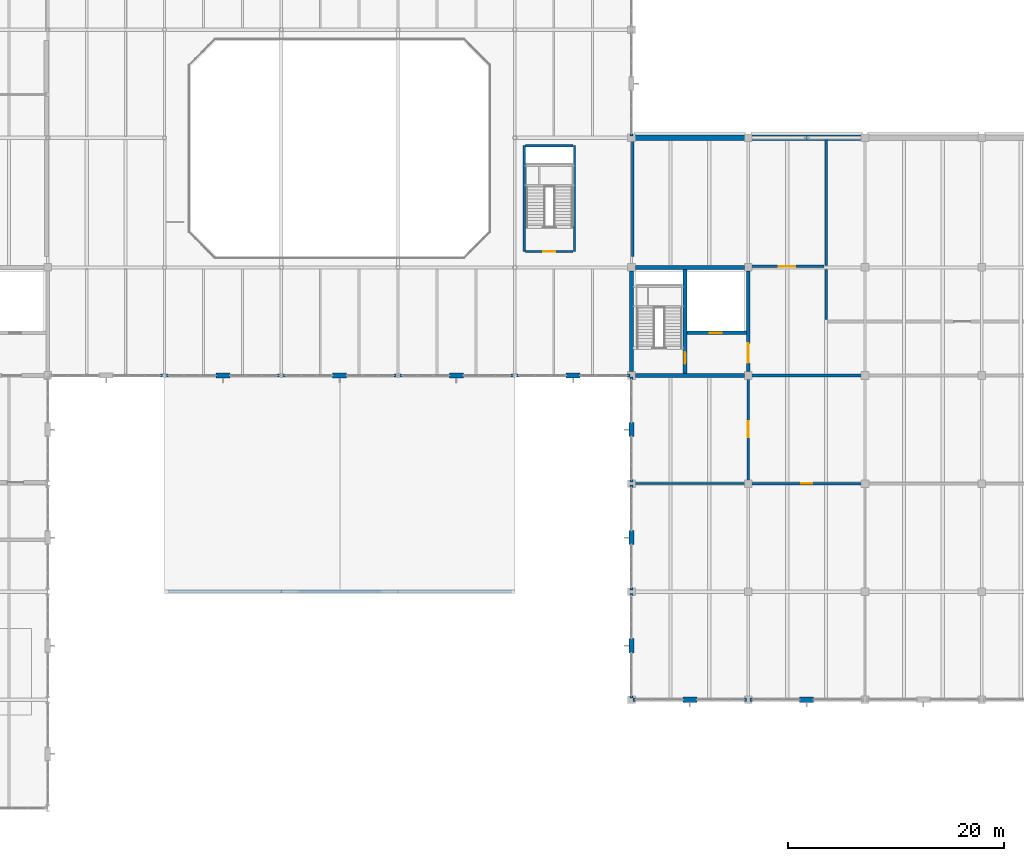
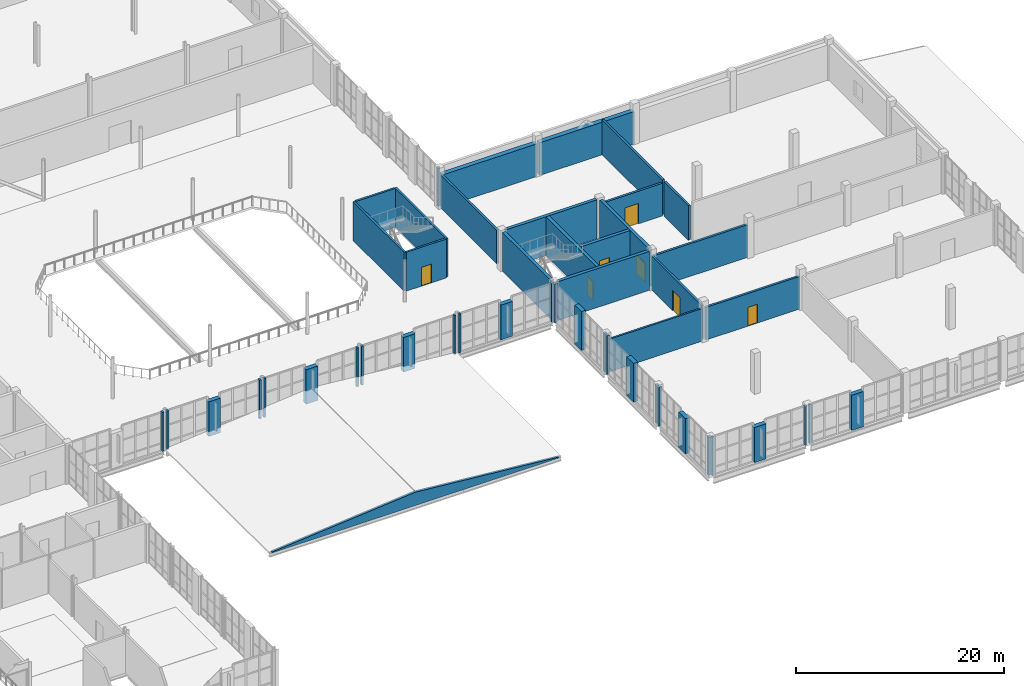
# One storey, part 76 of 92: 49 walls, 7 doors, 7 openings.
"""IFC4 building model written with IfcOpenShell, lengths in metres."""

import ifcopenshell
import ifcopenshell.guid

model = None  # the IFC model being written
_history = None  # IfcOwnerHistory: only IFC2X3 demands one
_inside = {}  # id of a spatial element -> (the spatial element, [elements in it])
_under = {}  # id of a project, library or spatial element -> (it, [spatial elements below it])
_declared = {}  # id of a project -> (the project, [libraries it declares])
_typed = {}  # id of a type object -> (the type object, [elements of that type])
_made_of = {}  # id of a material, layer set ... -> (it, [elements and type objects made of it])


def new_model(schema):
    """Start an empty IFC model of exactly this schema.

    Asked for "IFC4X3", IfcOpenShell would pick the latest addendum, in which some entities
    have other attributes; the version numbers below select the first issue.
    IFC2X3 requires an IfcOwnerHistory on every rooted entity: one is made here for all.
    """
    global model, _history
    if schema == "IFC4X3":
        model = ifcopenshell.file(schema_version=(4, 3, 0, 0))
    else:
        model = ifcopenshell.file(schema=schema)
    _inside.clear()
    _under.clear()
    _declared.clear()
    _typed.clear()
    _made_of.clear()
    _history = None
    if model.schema == "IFC2X3":
        org = make("IfcOrganization", Name="unknown")
        user = make(
            "IfcPersonAndOrganization",
            ThePerson=make("IfcPerson", FamilyName="unknown"),
            TheOrganization=org,
        )
        app = make(
            "IfcApplication",
            ApplicationDeveloper=org,
            Version="unknown",
            ApplicationFullName="unknown",
            ApplicationIdentifier="unknown",
        )
        _history = make(
            "IfcOwnerHistory",
            OwningUser=user,
            OwningApplication=app,
            ChangeAction="ADDED",
            CreationDate=0,
        )
    return model


def make(cls, **values):
    """One entity of the class cls with the attributes given. An attribute that is None is left unset."""
    return model.create_entity(
        cls, **{name: value for name, value in values.items() if value is not None}
    )


def rooted(cls, **values):
    """An entity with a GlobalId (a new one), such as an element, a storey or a relation."""
    return make(cls, GlobalId=ifcopenshell.guid.new(), OwnerHistory=_history, **values)


def si_unit(unit_type, name, prefix=None):
    """IfcSIUnit, for example si_unit("LENGTHUNIT", "METRE", prefix="MILLI")."""
    return make("IfcSIUnit", UnitType=unit_type, Prefix=prefix, Name=name)


def assignment(units):
    """IfcUnitAssignment: the units of a project."""
    return None if units is None else make("IfcUnitAssignment", Units=units)


def point(xyz):
    """IfcCartesianPoint."""
    return None if xyz is None else make("IfcCartesianPoint", Coordinates=xyz)


def direction(xyz):
    """IfcDirection."""
    return None if xyz is None else make("IfcDirection", DirectionRatios=xyz)


def frame(location, z_axis=None, x_axis=None):
    """IfcAxis2Placement3D, a coordinate frame: its origin and axes. An axis left out is left unset."""
    return make(
        "IfcAxis2Placement3D",
        Location=point(location),
        Axis=direction(z_axis),
        RefDirection=direction(x_axis),
    )


def frame_2d(location, x_axis=None):
    """IfcAxis2Placement2D, a coordinate frame in the plane: its origin and x axis."""
    return make(
        "IfcAxis2Placement2D", Location=point(location), RefDirection=direction(x_axis)
    )


def origin():
    """The frame at (0, 0, 0) with its axes left unset."""
    return frame((0.0, 0.0, 0.0))


def place(relative_to, where):
    """IfcLocalPlacement: puts the frame where relative to a parent placement (None: the world)."""
    return make(
        "IfcLocalPlacement", PlacementRelTo=relative_to, RelativePlacement=where
    )


def context(
    kind, dimensions, precision=None, world=None, true_north=None, identifier=None
):
    """IfcGeometricRepresentationContext, for example the 3D "Model" context."""
    return make(
        "IfcGeometricRepresentationContext",
        ContextIdentifier=identifier,
        ContextType=kind,
        CoordinateSpaceDimension=dimensions,
        Precision=precision,
        WorldCoordinateSystem=world,
        TrueNorth=true_north,
    )


def subcontext(parent, identifier, kind, view, scale=None):
    """IfcGeometricRepresentationSubContext, for example "Body" below "Model"."""
    return make(
        "IfcGeometricRepresentationSubContext",
        ContextIdentifier=identifier,
        ContextType=kind,
        ParentContext=parent,
        TargetScale=scale,
        TargetView=view,
    )


def project(units=None, contexts=None):
    """IfcProject with its units and contexts."""
    return rooted(
        "IfcProject",
        Name="project",
        RepresentationContexts=contexts,
        UnitsInContext=assignment(units),
    )


def spatial(cls, under=None, at=None, **own):
    """A site, building, storey or space (cls), placed at a placement, below another one or the project."""
    s = rooted(cls, ObjectPlacement=at, **own)
    if under is not None:
        _under.setdefault(under.id(), (under, []))[1].append(s)
    return s


def polyline(points):
    """IfcPolyline through the points."""
    return make("IfcPolyline", Points=[point(p) for p in points])


def profile(cls, at=None, kind="AREA", **sizes):
    """A parametric profile (cls). Its sizes go by their IFC names, for example OverallWidth=200.0."""
    return make(cls, ProfileType=kind, Position=at, **sizes)


def rectangle(**sizes):
    """IfcRectangleProfileDef."""
    return profile("IfcRectangleProfileDef", **sizes)


def outline(outer, holes=None, kind="AREA"):
    """IfcArbitraryClosedProfileDef: a profile drawn as a closed curve; with holes, ...WithVoids."""
    if holes is None:
        return make("IfcArbitraryClosedProfileDef", ProfileType=kind, OuterCurve=outer)
    return make(
        "IfcArbitraryProfileDefWithVoids",
        ProfileType=kind,
        OuterCurve=outer,
        InnerCurves=holes,
    )


def extrude(swept, where, along, depth):
    """IfcExtrudedAreaSolid: the profile swept, set in the frame where, extruded along a direction by depth."""
    return make(
        "IfcExtrudedAreaSolid",
        SweptArea=swept,
        Position=where,
        ExtrudedDirection=direction(along),
        Depth=depth,
    )


def shape(context_of_items, identifier, shape_type, items):
    """IfcShapeRepresentation: the items that make up one representation, for example the "Body"."""
    return make(
        "IfcShapeRepresentation",
        ContextOfItems=context_of_items,
        RepresentationIdentifier=identifier,
        RepresentationType=shape_type,
        Items=items,
    )


def material(Name=None, Category=None):
    """IfcMaterial."""
    return make("IfcMaterial", Name=Name, Category=Category)


def layer(
    of_material, thickness, ventilated=None, Name=None, Category=None, Priority=None
):
    """IfcMaterialLayer: one layer of a wall or slab, of a material (None: an air gap)."""
    return make(
        "IfcMaterialLayer",
        Material=of_material,
        LayerThickness=thickness,
        IsVentilated=ventilated,
        Name=Name,
        Category=Category,
        Priority=Priority,
    )


def layer_set(layers, Name=None):
    """IfcMaterialLayerSet."""
    return make("IfcMaterialLayerSet", MaterialLayers=layers, LayerSetName=Name)


def made_of(thing, what):
    """Note that an element or type object is made of a material, layer set ...; save() writes the relation."""
    if what is not None:
        _made_of.setdefault(what.id(), (what, []))[1].append(thing)
    return thing


def type_object(cls, material=None, **own):
    """A type object (cls), such as IfcWallType, which elements share."""
    return made_of(rooted(cls, **own), material)


def element(
    cls,
    number,
    at=None,
    inside=None,
    cuts=None,
    type_object=None,
    material=None,
    context=None,
    identifier="Body",
    shape_type=None,
    held_by="IfcProductDefinitionShape",
    body=None,
    shapes=None,
    **own,
):
    """One element of the class cls, such as IfcWall. Its Tag is "e" and its number.

    at: its placement. inside: the storey or other place that contains it. cuts: it is an
    opening in that element (IfcRelVoidsElement). A single representation is given by context,
    identifier, shape_type and body (its items); several are given by shapes. held_by: the class
    of the entity that holds the representations. save() writes the other relations.
    """
    e = rooted(cls, Tag="e%d" % number, ObjectPlacement=at, **own)
    if body is not None:
        shapes = [shape(context, identifier, shape_type, body)]
    if shapes is not None:
        e.Representation = make(held_by, Representations=shapes)
    if inside is not None:
        _inside.setdefault(inside.id(), (inside, []))[1].append(e)
    if cuts is not None:
        rooted(
            "IfcRelVoidsElement", RelatingBuildingElement=cuts, RelatedOpeningElement=e
        )
    if type_object is not None:
        _typed.setdefault(type_object.id(), (type_object, []))[1].append(e)
    return made_of(e, material)


def fill(opening, filler):
    """IfcRelFillsElement: the door or window that sits in an opening."""
    return rooted(
        "IfcRelFillsElement",
        RelatingOpeningElement=opening,
        RelatedBuildingElement=filler,
    )


def aggregate(whole, parts):
    """IfcRelAggregates: a whole, such as a stair, and the parts it consists of."""
    return rooted("IfcRelAggregates", RelatingObject=whole, RelatedObjects=parts)


def save(model, path):
    """Write the relations noted so far, then the file.

    IfcRelAggregates (storeys below a building ...), IfcRelContainedInSpatialStructure (elements
    in a storey), IfcRelDefinesByType, IfcRelAssociatesMaterial and IfcRelDeclares: one each for
    every whole, place, type object, material and project.
    """
    for whole, parts in _under.values():
        aggregate(whole, parts)
    for where, things in _inside.values():
        rooted(
            "IfcRelContainedInSpatialStructure",
            RelatedElements=things,
            RelatingStructure=where,
        )
    for kind, things in _typed.values():
        rooted("IfcRelDefinesByType", RelatedObjects=things, RelatingType=kind)
    for what, things in _made_of.values():
        rooted("IfcRelAssociatesMaterial", RelatedObjects=things, RelatingMaterial=what)
    for by, libraries in _declared.values():
        rooted("IfcRelDeclares", RelatingContext=by, RelatedDefinitions=libraries)
    model.write(path)


model = new_model("IFC4")

# Units and contexts
model_context = context("Model", 3, precision=1e-05, world=origin(), true_north=direction((0.0, 1.0)))
body_context = subcontext(model_context, "Body", "Model", "MODEL_VIEW")
ifc_project = project(units=[si_unit("LENGTHUNIT", "METRE"), si_unit("AREAUNIT", "SQUARE_METRE"), si_unit("VOLUMEUNIT", "CUBIC_METRE"), si_unit("PLANEANGLEUNIT", "RADIAN"), si_unit("MASSUNIT", "GRAM", prefix="KILO")], contexts=[model_context])

# Site, building, storey
site_placement = place(None, origin())
site = spatial("IfcSite", under=ifc_project, at=site_placement, CompositionType="ELEMENT")
building_placement = place(site_placement, origin())
building = spatial("IfcBuilding", under=site, at=building_placement, Name="Tasgan Crest Museum", CompositionType="ELEMENT")
storey_placement = place(building_placement, frame((0.0, 0.0, 4.800048828125)))
storey = spatial("IfcBuildingStorey", under=building, at=storey_placement, Name="L01", CompositionType="ELEMENT", Elevation=4.800048828125)

# Walls
ifc_material_1 = material(Name="Concrete C40/50", Category="concrete")
ifc_layer_1 = layer(ifc_material_1, 0.35009765625, Name="WL-CORE-350")
ifc_layer_set_1 = layer_set([ifc_layer_1], Name="Concrete C40/50")
wall_type_1 = type_object("IfcWallType", Name="WL-CORE-350", PredefinedType="SHEAR", material=ifc_layer_set_1)
for number, where, z_axis, x_axis, name in (
    (1, (108.35009765625, 40.0, 0.0), (0.0, 0.0, 1.0), (1.0, 0.0, 0.0), "East Conservation Core south shear wall L01"),
    (2, (108.35009765625, 50.0, 0.0), (0.0, 0.0, 1.0), (1.0, 0.0, 0.0), "East Conservation Core north shear wall L01"),
):
    element("IfcWall", number, at=place(storey_placement, frame(where, z_axis=z_axis, x_axis=x_axis)), inside=storey, type_object=wall_type_1, Name=name, PredefinedType="SHEAR", context=body_context, shape_type="SweptSolid", body=[
        extrude(rectangle(XDim=10.099853515625, YDim=0.35009765625, at=frame_2d((5.0498046875, 0.0))), origin(), (0.0, 0.0, 1.0), 4.56005859375),
    ])
wall_1_placement = place(storey_placement, frame((108.0, 40.35009765625, 0.0), z_axis=(0.0, 0.0, 1.0), x_axis=(0.0, 1.0, 0.0)))
element("IfcWall", 3, at=wall_1_placement, inside=storey, type_object=wall_type_1, Name="East Conservation Core west shear wall L01", PredefinedType="SHEAR", context=body_context, shape_type="SweptSolid", body=[
    extrude(rectangle(XDim=9.2998046875, YDim=0.35009765625, at=frame_2d((4.64990234375, 0.0))), origin(), (0.0, 0.0, 1.0), 4.56005859375),
])

# Wall, opening, door
wall_2_placement = place(storey_placement, frame((118.800048828125, 40.35009765625, 0.0), z_axis=(0.0, 0.0, 1.0), x_axis=(0.0, 1.0, 0.0)))
wall_2 = element("IfcWall", 4, at=wall_2_placement, inside=storey, type_object=wall_type_1, Name="East Conservation Core east shear wall L01", PredefinedType="SHEAR", context=body_context, shape_type="SweptSolid", body=[
    extrude(rectangle(XDim=9.2998046875, YDim=0.35009765625, at=frame_2d((4.64990234375, 0.0))), origin(), (0.0, 0.0, 1.0), 4.56005859375),
])
opening_1_placement = place(wall_2_placement, frame((0.830078125, 0.0, 0.0)))
opening_1 = element("IfcOpeningElement", 5, at=opening_1_placement, cuts=wall_2, Name="Opening LD-SE-L01", PredefinedType="OPENING", context=body_context, shape_type="SweptSolid", body=[
    extrude(rectangle(XDim=1.800048828125, YDim=2.25, at=frame_2d((0.89990234375, 1.125))), frame((0.0, 0.18505859375, 0.0), z_axis=(0.0, -1.0, 0.0), x_axis=(1.0, 0.0, 0.0)), (0.0, 0.0, 1.0), 0.3701171875),
])
ifc_material_2 = material(Name="Fire-Rated Double Lobby Door")
door_type_1 = type_object("IfcDoorType", Name="DR-FD2-1800", OperationType="NOTDEFINED", PredefinedType="DOOR", material=ifc_material_2)
door_1_placement = place(opening_1_placement, origin())
door_1 = element("IfcDoor", 6, at=door_1_placement, inside=storey, type_object=door_type_1, Name="East Conservation Core lobby door L01", OperationType="DOUBLE_DOOR_SINGLE_SWING", OverallHeight=2.25, OverallWidth=1.800048828125, PredefinedType="DOOR", context=body_context, shape_type="SweptSolid", body=[
    extrude(rectangle(XDim=1.800048828125, YDim=2.25, at=frame_2d((0.89990234375, 1.125))), frame((0.0, 0.02490234375, 0.0), z_axis=(0.0, -1.0, 0.0), x_axis=(1.0, 0.0, 0.0)), (0.0, 0.0, 1.0), 0.050048828125),
])
fill(opening_1, door_1)

wall_3_placement = place(storey_placement, frame((112.949951171875, 40.175048828125, 0.0), z_axis=(0.0, 0.0, 1.0), x_axis=(0.0, 1.0, 0.0)))
wall_3 = element("IfcWall", 7, at=wall_3_placement, inside=storey, type_object=wall_type_1, Name="East Conservation Core stair-lobby shear wall L01", PredefinedType="SHEAR", context=body_context, shape_type="SweptSolid", body=[
    extrude(rectangle(XDim=9.64990234375, YDim=0.35009765625, at=frame_2d((4.824951171875, 0.0))), origin(), (0.0, 0.0, 1.0), 4.56005859375),
])
opening_2_placement = place(wall_3_placement, frame((0.89990234375, 0.0, 0.0)))
opening_2 = element("IfcOpeningElement", 8, at=opening_2_placement, cuts=wall_3, Name="Opening SD-SE-L01", PredefinedType="OPENING", context=body_context, shape_type="SweptSolid", body=[
    extrude(rectangle(XDim=1.10009765625, YDim=2.199951171875, at=frame_2d((0.550048828125, 1.10009765625))), frame((0.0, 0.18505859375, 0.0), z_axis=(0.0, -1.0, 0.0), x_axis=(1.0, 0.0, 0.0)), (0.0, 0.0, 1.0), 0.3701171875),
])
ifc_material_3 = material(Name="Fire-Rated Steel Door", Category="steel")
door_type_2 = type_object("IfcDoorType", Name="DR-FD1-1100", OperationType="NOTDEFINED", PredefinedType="DOOR", material=ifc_material_3)
door_2_placement = place(opening_2_placement, origin())
door_2 = element("IfcDoor", 9, at=door_2_placement, inside=storey, type_object=door_type_2, Name="East Conservation Core stair door L01", OperationType="SINGLE_SWING_RIGHT", OverallHeight=2.199951171875, OverallWidth=1.10009765625, PredefinedType="DOOR", context=body_context, shape_type="SweptSolid", body=[
    extrude(rectangle(XDim=1.10009765625, YDim=2.199951171875, at=frame_2d((0.550048828125, 1.10009765625))), frame((0.0, 0.02490234375, 0.0), z_axis=(0.0, -1.0, 0.0), x_axis=(1.0, 0.0, 0.0)), (0.0, 0.0, 1.0), 0.050048828125),
])
fill(opening_2, door_2)

wall_4_placement = place(storey_placement, frame((113.1298828125, 43.949951171875, 0.0), z_axis=(0.0, 0.0, 1.0), x_axis=(1.0, 0.0, 0.0)))
wall_4 = element("IfcWall", 10, at=wall_4_placement, inside=storey, type_object=wall_type_1, Name="East Conservation Core lift-shaft wall L01", PredefinedType="SHEAR", context=body_context, shape_type="SweptSolid", body=[
    extrude(rectangle(XDim=5.490234375, YDim=0.35009765625, at=frame_2d((2.7451171875, 0.0))), origin(), (0.0, 0.0, 1.0), 4.56005859375),
])
opening_3_placement = place(wall_4_placement, frame((2.10009765625, 0.0, 0.0)))
opening_3 = element("IfcOpeningElement", 11, at=opening_3_placement, cuts=wall_4, Name="Opening LD-PL2", PredefinedType="OPENING", context=body_context, shape_type="SweptSolid", body=[
    extrude(rectangle(XDim=1.10009765625, YDim=2.199951171875, at=frame_2d((0.550048828125, 1.10009765625))), frame((0.0, 0.18505859375, 0.0), z_axis=(0.0, -1.0, 0.0), x_axis=(1.0, 0.0, 0.0)), (0.0, 0.0, 1.0), 0.3701171875),
])
ifc_material_4 = material(Name="Brushed Bronze Passenger Lift Landing Door")
door_type_3 = type_object("IfcDoorType", Name="LD-PAX-1100", OperationType="NOTDEFINED", PredefinedType="DOOR", material=ifc_material_4)
door_3_placement = place(opening_3_placement, origin())
door_3 = element("IfcDoor", 12, at=door_3_placement, inside=storey, type_object=door_type_3, Name="Lift landing sliding door PL2 L01", OperationType="DOUBLE_DOOR_SLIDING", OverallHeight=2.199951171875, OverallWidth=1.10009765625, PredefinedType="DOOR", context=body_context, shape_type="SweptSolid", body=[
    extrude(rectangle(XDim=1.10009765625, YDim=2.199951171875, at=frame_2d((0.550048828125, 1.10009765625))), frame((0.0, 0.02490234375, 0.0), z_axis=(0.0, -1.0, 0.0), x_axis=(1.0, 0.0, 0.0)), (0.0, 0.0, 1.0), 0.050048828125),
])
fill(opening_3, door_3)

# Walls
ifc_material_5 = material(Name="Precast concrete C40/50", Category="concrete")
ifc_layer_2 = layer(ifc_material_5, 0.320068359375, Name="WL-EXT-CLER-320")
ifc_layer_set_2 = layer_set([ifc_layer_2], Name="Precast concrete C40/50")
wall_type_2 = type_object("IfcWallType", Name="WL-EXT-CLER-320", PredefinedType="STANDARD", material=ifc_layer_set_2)
wall_5_placement = place(storey_placement, frame((64.429931640625, 40.0, 0.0), z_axis=(0.0, 0.0, 1.0), x_axis=(1.0, 0.0, 0.0)))
element("IfcWall", 13, at=wall_5_placement, inside=storey, type_object=wall_type_2, Name="Curtain wall jamb closure L01 JR", PredefinedType="STANDARD", context=body_context, shape_type="SweptSolid", body=[
    extrude(rectangle(XDim=0.22509765625, YDim=0.300048828125, at=frame_2d((0.112548828125, 0.0))), origin(), (0.0, 0.0, 1.0), 4.56005859375),
])
wall_6_placement = place(storey_placement, frame((64.945068359375, 40.0, 0.0), z_axis=(0.0, 0.0, 1.0), x_axis=(1.0, 0.0, 0.0)))
element("IfcWall", 14, at=wall_6_placement, inside=storey, type_object=wall_type_2, Name="Curtain wall jamb closure L01 JL", PredefinedType="STANDARD", context=body_context, shape_type="SweptSolid", body=[
    extrude(rectangle(XDim=0.224853515625, YDim=0.300048828125, at=frame_2d((0.1123046875, 0.0))), origin(), (0.0, 0.0, 1.0), 4.56005859375),
])
wall_7_placement = place(storey_placement, frame((75.22998046875, 40.0, 0.0), z_axis=(0.0, 0.0, 1.0), x_axis=(1.0, 0.0, 0.0)))
element("IfcWall", 15, at=wall_7_placement, inside=storey, type_object=wall_type_2, Name="Curtain wall jamb closure L01 JR", PredefinedType="STANDARD", context=body_context, shape_type="SweptSolid", body=[
    extrude(rectangle(XDim=0.22509765625, YDim=0.300048828125, at=frame_2d((0.112548828125, 0.0))), origin(), (0.0, 0.0, 1.0), 4.56005859375),
])
for number, where, z_axis, x_axis, name in (
    (16, (75.7451171875, 40.0, 0.0), (0.0, 0.0, 1.0), (1.0, 0.0, 0.0), "Curtain wall jamb closure L01 JL"),
    (17, (86.030029296875, 40.0, 0.0), (0.0, 0.0, 1.0), (1.0, 0.0, 0.0), "Curtain wall jamb closure L01 JR"),
):
    element("IfcWall", number, at=place(storey_placement, frame(where, z_axis=z_axis, x_axis=x_axis)), inside=storey, type_object=wall_type_2, Name=name, PredefinedType="STANDARD", context=body_context, shape_type="SweptSolid", body=[
        extrude(rectangle(XDim=0.224853515625, YDim=0.300048828125, at=frame_2d((0.1123046875, 0.0))), origin(), (0.0, 0.0, 1.0), 4.56005859375),
    ])
wall_8_placement = place(storey_placement, frame((86.544921875, 40.0, 0.0), z_axis=(0.0, 0.0, 1.0), x_axis=(1.0, 0.0, 0.0)))
element("IfcWall", 18, at=wall_8_placement, inside=storey, type_object=wall_type_2, Name="Curtain wall jamb closure L01 JL", PredefinedType="STANDARD", context=body_context, shape_type="SweptSolid", body=[
    extrude(rectangle(XDim=0.22509765625, YDim=0.300048828125, at=frame_2d((0.112548828125, 0.0))), origin(), (0.0, 0.0, 1.0), 4.56005859375),
])
wall_9_placement = place(storey_placement, frame((96.830078125, 40.0, 0.0), z_axis=(0.0, 0.0, 1.0), x_axis=(1.0, 0.0, 0.0)))
element("IfcWall", 19, at=wall_9_placement, inside=storey, type_object=wall_type_2, Name="Curtain wall jamb closure L01 JR", PredefinedType="STANDARD", context=body_context, shape_type="SweptSolid", body=[
    extrude(rectangle(XDim=0.224853515625, YDim=0.300048828125, at=frame_2d((0.1123046875, 0.0))), origin(), (0.0, 0.0, 1.0), 4.56005859375),
])
for number, where, z_axis, x_axis, name in (
    (20, (97.344970703125, 40.0, 0.0), (0.0, 0.0, 1.0), (1.0, 0.0, 0.0), "Curtain wall jamb closure L01 JL"),
    (21, (107.6298828125, 40.0, 0.0), (0.0, 0.0, 1.0), (1.0, 0.0, 0.0), "Curtain wall jamb closure L01 JR"),
    (22, (108.0, 39.85498046875, 0.0), (0.0, 0.0, 1.0), (0.0, -1.0, 0.0), "Curtain wall jamb closure L01 JL"),
    (23, (108.0, 30.3701171875, 0.0), (0.0, 0.0, 1.0), (0.0, -1.0, 0.0), "Curtain wall jamb closure L01 JR"),
    (24, (108.0, 29.85498046875, 0.0), (0.0, 0.0, 1.0), (0.0, -1.0, 0.0), "Curtain wall jamb closure L01 JL"),
    (25, (108.0, 20.3701171875, 0.0), (0.0, 0.0, 1.0), (0.0, -1.0, 0.0), "Curtain wall jamb closure L01 JR"),
    (26, (108.0, 19.85498046875, 0.0), (0.0, 0.0, 1.0), (0.0, -1.0, 0.0), "Curtain wall jamb closure L01 JL"),
    (27, (108.0, 10.3701171875, 0.0), (0.0, 0.0, 1.0), (0.0, -1.0, 0.0), "Curtain wall jamb closure L01 JR"),
    (28, (108.14501953125, 10.0, 0.0), (0.0, 0.0, 1.0), (1.0, 0.0, 0.0), "Curtain wall jamb closure L01 JL"),
    (29, (118.429931640625, 10.0, 0.0), (0.0, 0.0, 1.0), (1.0, 0.0, 0.0), "Curtain wall jamb closure L01 JR"),
):
    element("IfcWall", number, at=place(storey_placement, frame(where, z_axis=z_axis, x_axis=x_axis)), inside=storey, type_object=wall_type_2, Name=name, PredefinedType="STANDARD", context=body_context, shape_type="SweptSolid", body=[
        extrude(rectangle(XDim=0.22509765625, YDim=0.300048828125, at=frame_2d((0.112548828125, 0.0))), origin(), (0.0, 0.0, 1.0), 4.56005859375),
    ])
wall_10_placement = place(storey_placement, frame((118.945068359375, 10.0, 0.0), z_axis=(0.0, 0.0, 1.0), x_axis=(1.0, 0.0, 0.0)))
element("IfcWall", 30, at=wall_10_placement, inside=storey, type_object=wall_type_2, Name="Curtain wall jamb closure L01 JL", PredefinedType="STANDARD", context=body_context, shape_type="SweptSolid", body=[
    extrude(rectangle(XDim=0.224853515625, YDim=0.300048828125, at=frame_2d((0.1123046875, 0.0))), origin(), (0.0, 0.0, 1.0), 4.56005859375),
])
wall_11_placement = place(storey_placement, frame((108.0, 62.14501953125, 0.0), z_axis=(0.0, 0.0, 1.0), x_axis=(0.0, 1.0, 0.0)))
element("IfcWall", 31, at=wall_11_placement, inside=storey, type_object=wall_type_2, Name="Curtain wall jamb closure L01 JL", PredefinedType="STANDARD", context=body_context, shape_type="SweptSolid", body=[
    extrude(rectangle(XDim=0.22509765625, YDim=0.300048828125, at=frame_2d((0.112548828125, 0.0))), origin(), (0.0, 0.0, 1.0), 4.56005859375),
])
wall_12_placement = place(storey_placement, frame((65.10009765625, 20.0, -0.02001953125), z_axis=(0.0, 0.0, 1.0), x_axis=(1.0, 0.0, 0.0)))
element("IfcWall", 32, at=wall_12_placement, inside=storey, type_object=wall_type_2, Name="Sloped roof gable wall V6-PED-S", PredefinedType="STANDARD", context=body_context, shape_type="SweptSolid", body=[
    extrude(outline(polyline([(0.0, 0.0), (31.7998046875, 0.0), (31.800048828125, 0.119873046875), (15.89990234375, 1.570068359375), (0.0, 0.119873046875), (0.0, 0.0)])), frame((0.0, 0.14013671875, 0.0), z_axis=(0.0, -1.0, 0.0), x_axis=(1.0, 0.0, 0.0)), (0.0, 0.0, 1.0), 0.280029296875),
])
ifc_material_6 = material(Name="Precast concrete C40/50", Category="concrete")
ifc_layer_3 = layer(ifc_material_6, 0.47998046875, Name="WL-EXT-GRAN-480")
ifc_layer_set_3 = layer_set([ifc_layer_3], Name="Precast concrete C40/50")
wall_type_3 = type_object("IfcWallType", Name="WL-EXT-GRAN-480", PredefinedType="STANDARD", material=ifc_layer_set_3)
wall_13_placement = place(storey_placement, frame((69.550048828125, 40.0, 0.0), z_axis=(0.0, 0.0, 1.0), x_axis=(1.0, 0.0, 0.0)))
element("IfcWall", 33, at=wall_13_placement, inside=storey, type_object=wall_type_3, Name="Postmodern facade stone pier L01", PredefinedType="STANDARD", context=body_context, shape_type="SweptSolid", body=[
    extrude(rectangle(XDim=1.300048828125, YDim=0.47998046875, at=frame_2d((0.64990234375, 0.0))), origin(), (0.0, 0.0, 1.0), 4.06005859375),
])
wall_14_placement = place(storey_placement, frame((80.35009765625, 40.0, 0.0), z_axis=(0.0, 0.0, 1.0), x_axis=(1.0, 0.0, 0.0)))
element("IfcWall", 34, at=wall_14_placement, inside=storey, type_object=wall_type_3, Name="Postmodern facade stone pier L01", PredefinedType="STANDARD", context=body_context, shape_type="SweptSolid", body=[
    extrude(rectangle(XDim=1.2998046875, YDim=0.47998046875, at=frame_2d((0.64990234375, 0.0))), origin(), (0.0, 0.0, 1.0), 4.06005859375),
])
for number, where, z_axis, x_axis, name in (
    (35, (91.14990234375, 40.0, 0.0), (0.0, 0.0, 1.0), (1.0, 0.0, 0.0), "Postmodern facade stone pier L01"),
    (36, (101.949951171875, 40.0, 0.0), (0.0, 0.0, 1.0), (1.0, 0.0, 0.0), "Postmodern facade stone pier L01"),
):
    element("IfcWall", number, at=place(storey_placement, frame(where, z_axis=z_axis, x_axis=x_axis)), inside=storey, type_object=wall_type_3, Name=name, PredefinedType="STANDARD", context=body_context, shape_type="SweptSolid", body=[
        extrude(rectangle(XDim=1.300048828125, YDim=0.47998046875, at=frame_2d((0.64990234375, 0.0))), origin(), (0.0, 0.0, 1.0), 4.06005859375),
    ])
for number, where, z_axis, x_axis, name in (
    (37, (108.0, 35.64990234375, 0.0), (0.0, 0.0, 1.0), (0.0, -1.0, 0.0), "Postmodern facade stone pier L01"),
    (38, (108.0, 25.64990234375, 0.0), (0.0, 0.0, 1.0), (0.0, -1.0, 0.0), "Postmodern facade stone pier L01"),
):
    element("IfcWall", number, at=place(storey_placement, frame(where, z_axis=z_axis, x_axis=x_axis)), inside=storey, type_object=wall_type_3, Name=name, PredefinedType="STANDARD", context=body_context, shape_type="SweptSolid", body=[
        extrude(rectangle(XDim=1.2998046875, YDim=0.47998046875, at=frame_2d((0.64990234375, 0.0))), origin(), (0.0, 0.0, 1.0), 4.56005859375),
    ])
wall_15_placement = place(storey_placement, frame((108.0, 15.64990234375, 0.0), z_axis=(0.0, 0.0, 1.0), x_axis=(0.0, -1.0, 0.0)))
element("IfcWall", 39, at=wall_15_placement, inside=storey, type_object=wall_type_3, Name="Postmodern facade stone pier L01", PredefinedType="STANDARD", context=body_context, shape_type="SweptSolid", body=[
    extrude(rectangle(XDim=1.2998046875, YDim=0.47998046875, at=frame_2d((0.64990234375, 0.0))), origin(), (0.0, 0.0, 1.0), 4.1298828125),
])
for number, where, z_axis, x_axis, name in (
    (40, (112.75, 10.0, 0.0), (0.0, 0.0, 1.0), (1.0, 0.0, 0.0), "Postmodern facade stone pier L01"),
    (41, (123.550048828125, 10.0, 0.0), (0.0, 0.0, 1.0), (1.0, 0.0, 0.0), "Postmodern facade stone pier L01"),
):
    element("IfcWall", number, at=place(storey_placement, frame(where, z_axis=z_axis, x_axis=x_axis)), inside=storey, type_object=wall_type_3, Name=name, PredefinedType="STANDARD", context=body_context, shape_type="SweptSolid", body=[
        extrude(rectangle(XDim=1.300048828125, YDim=0.47998046875, at=frame_2d((0.64990234375, 0.0))), origin(), (0.0, 0.0, 1.0), 4.1298828125),
    ])
ifc_material_7 = material(Name="Concrete C40/50", Category="concrete")
ifc_layer_4 = layer(ifc_material_7, 0.52001953125, Name="WL-EXT-VAULT-520")
ifc_layer_set_4 = layer_set([ifc_layer_4], Name="Concrete C40/50")
wall_type_4 = type_object("IfcWallType", Name="WL-EXT-VAULT-520", PredefinedType="SOLIDWALL", material=ifc_layer_set_4)
for number, where, z_axis, x_axis, name in (
    (42, (129.455078125, 62.0, 0.0), (0.0, 0.0, 1.0), (-1.0, 0.0, 0.0), "Exterior wall L01 (124.2,62.0)"),
    (43, (118.655029296875, 62.0, 0.0), (0.0, 0.0, 1.0), (-1.0, 0.0, 0.0), "Exterior wall L01 (113.4,62.0)"),
):
    element("IfcWall", number, at=place(storey_placement, frame(where, z_axis=z_axis, x_axis=x_axis)), inside=storey, type_object=wall_type_4, Name=name, PredefinedType="SOLIDWALL", context=body_context, shape_type="SweptSolid", body=[
        extrude(rectangle(XDim=10.510009765625, YDim=0.52001953125, at=frame_2d((5.2548828125, 0.0))), origin(), (0.0, 0.0, 1.0), 3.829833984375),
    ])
ifc_material_8 = material(Name="Concrete C40/50", Category="concrete")
ifc_layer_5 = layer(ifc_material_8, 0.199951171875, Name="WL-FIRE-200")
ifc_layer_set_5 = layer_set([ifc_layer_5], Name="Concrete C40/50")
wall_type_5 = type_object("IfcWallType", Name="WL-FIRE-200", PredefinedType="SOLIDWALL", material=ifc_layer_set_5)
wall_16_placement = place(storey_placement, frame((108.179931640625, 30.0, 0.0), z_axis=(0.0, 0.0, 1.0), x_axis=(1.0, 0.0, 0.0)))
element("IfcWall", 44, at=wall_16_placement, inside=storey, type_object=wall_type_5, Name="Partition Dry Conservation Laboratory / Conservation Chemistry Study L01", PredefinedType="SOLIDWALL", context=body_context, shape_type="SweptSolid", body=[
    extrude(rectangle(XDim=10.440185546875, YDim=0.199951171875, at=frame_2d((5.22021484375, 0.0))), origin(), (0.0, 0.0, 1.0), 3.829833984375),
])

# Wall, opening, door
ifc_material_9 = material(Name="Concrete C40/50", Category="concrete")
ifc_layer_6 = layer(ifc_material_9, 0.239990234375, Name="WL-FIRE-240")
ifc_layer_set_6 = layer_set([ifc_layer_6], Name="Concrete C40/50")
wall_type_6 = type_object("IfcWallType", Name="WL-FIRE-240", PredefinedType="SOLIDWALL", material=ifc_layer_set_6)
wall_17_placement = place(storey_placement, frame((118.97998046875, 30.0, 0.0), z_axis=(0.0, 0.0, 1.0), x_axis=(1.0, 0.0, 0.0)))
wall_17 = element("IfcWall", 45, at=wall_17_placement, inside=storey, type_object=wall_type_6, Name="Partition Dry Conservation Laboratory / Collection Archive 101 L01", PredefinedType="SOLIDWALL", context=body_context, shape_type="SweptSolid", body=[
    extrude(rectangle(XDim=10.419921875, YDim=0.239990234375, at=frame_2d((5.2099609375, 0.0))), origin(), (0.0, 0.0, 1.0), 3.829833984375),
])
opening_4_placement = place(wall_17_placement, frame((4.699951171875, 0.0, 0.0)))
opening_4 = element("IfcOpeningElement", 46, at=opening_4_placement, cuts=wall_17, Name="Opening D032", PredefinedType="OPENING", context=body_context, shape_type="SweptSolid", body=[
    extrude(rectangle(XDim=1.02001953125, YDim=2.199951171875, at=frame_2d((0.510009765625, 1.10009765625))), frame((0.0, 0.1298828125, 0.0), z_axis=(0.0, -1.0, 0.0), x_axis=(1.0, 0.0, 0.0)), (0.0, 0.0, 1.0), 0.260009765625),
])
ifc_material_10 = material(Name="Oak and Brushed Bronze Acoustic Door")
door_type_4 = type_object("IfcDoorType", Name="DR-SCH-04", OperationType="NOTDEFINED", PredefinedType="DOOR", material=ifc_material_10)
door_4_placement = place(opening_4_placement, origin())
door_4 = element("IfcDoor", 47, at=door_4_placement, inside=storey, type_object=door_type_4, Name="Dry Conservation Laboratory door D032", OperationType="SINGLE_SWING_LEFT", OverallHeight=2.199951171875, OverallWidth=1.02001953125, PredefinedType="DOOR", context=body_context, shape_type="SweptSolid", body=[
    extrude(rectangle(XDim=1.02001953125, YDim=2.199951171875, at=frame_2d((0.510009765625, 1.10009765625))), frame((0.0, 0.02490234375, 0.0), z_axis=(0.0, -1.0, 0.0), x_axis=(1.0, 0.0, 0.0)), (0.0, 0.0, 1.0), 0.050048828125),
])
fill(opening_4, door_4)

# Wall
wall_18_placement = place(storey_placement, frame((118.97998046875, 40.0, 0.0), z_axis=(0.0, 0.0, 1.0), x_axis=(1.0, 0.0, 0.0)))
element("IfcWall", 48, at=wall_18_placement, inside=storey, type_object=wall_type_6, Name="Partition Collection Archive 101 / First Floor Archive Corridor L01", PredefinedType="SOLIDWALL", context=body_context, shape_type="SweptSolid", body=[
    extrude(rectangle(XDim=10.419921875, YDim=0.239990234375, at=frame_2d((5.2099609375, 0.0))), origin(), (0.0, 0.0, 1.0), 3.829833984375),
])

# Wall, opening, door
wall_19_placement = place(storey_placement, frame((118.97998046875, 50.10009765625, 0.0), z_axis=(0.0, 0.0, 1.0), x_axis=(1.0, 0.0, 0.0)))
wall_19 = element("IfcWall", 49, at=wall_19_placement, inside=storey, type_object=wall_type_6, Name="Partition Botanical Herbarium Archive 104 / First Floor North Vault Vestibule L01", PredefinedType="SOLIDWALL", context=body_context, shape_type="SweptSolid", body=[
    extrude(rectangle(XDim=6.820068359375, YDim=0.239990234375, at=frame_2d((3.41015625, 0.0))), origin(), (0.0, 0.0, 1.0), 3.829833984375),
])
opening_5_placement = place(wall_19_placement, frame((2.659912109375, 0.0, 0.0)))
opening_5 = element("IfcOpeningElement", 50, at=opening_5_placement, cuts=wall_19, Name="Opening D041", PredefinedType="OPENING", context=body_context, shape_type="SweptSolid", body=[
    extrude(rectangle(XDim=1.5, YDim=2.39990234375, at=frame_2d((0.75, 1.199951171875))), frame((0.0, 0.1298828125, 0.0), z_axis=(0.0, -1.0, 0.0), x_axis=(1.0, 0.0, 0.0)), (0.0, 0.0, 1.0), 0.260009765625),
])
ifc_material_11 = material(Name="Insulated Archive Vault Steel Door", Category="steel")
door_type_5 = type_object("IfcDoorType", Name="DR-VAULT-1500", OperationType="NOTDEFINED", PredefinedType="DOOR", material=ifc_material_11)
door_5_placement = place(opening_5_placement, origin())
door_5 = element("IfcDoor", 51, at=door_5_placement, inside=storey, type_object=door_type_5, Name="Botanical Herbarium Archive 104 door D041", OperationType="SINGLE_SWING_LEFT", OverallHeight=2.39990234375, OverallWidth=1.5, PredefinedType="DOOR", context=body_context, shape_type="SweptSolid", body=[
    extrude(rectangle(XDim=1.5, YDim=2.39990234375, at=frame_2d((0.75, 1.199951171875))), frame((0.0, 0.02490234375, 0.0), z_axis=(0.0, -1.0, 0.0), x_axis=(1.0, 0.0, 0.0)), (0.0, 0.0, 1.0), 0.050048828125),
])
fill(opening_5, door_5)

wall_20_placement = place(storey_placement, frame((118.800048828125, 30.199951171875, 0.0), z_axis=(0.0, 0.0, 1.0), x_axis=(0.0, 1.0, 0.0)))
wall_20 = element("IfcWall", 52, at=wall_20_placement, inside=storey, type_object=wall_type_6, Name="Partition Collection Archive 101 / Conservation Chemistry Study L01", PredefinedType="SOLIDWALL", context=body_context, shape_type="SweptSolid", body=[
    extrude(rectangle(XDim=9.6201171875, YDim=0.239990234375, at=frame_2d((4.81005859375, 0.0))), origin(), (0.0, 0.0, 1.0), 3.968994140625),
])
opening_6_placement = place(wall_20_placement, frame((4.070068359375, 0.0, 0.0)))
opening_6 = element("IfcOpeningElement", 53, at=opening_6_placement, cuts=wall_20, Name="Opening D054", PredefinedType="OPENING", context=body_context, shape_type="SweptSolid", body=[
    extrude(rectangle(XDim=1.47998046875, YDim=2.419921875, at=frame_2d((0.739990234375, 1.2099609375))), frame((0.0, 0.1298828125, 0.0), z_axis=(0.0, -1.0, 0.0), x_axis=(1.0, 0.0, 0.0)), (0.0, 0.0, 1.0), 0.260009765625),
])
ifc_material_12 = material(Name="Oak and Brushed Bronze Acoustic Door")
door_type_6 = type_object("IfcDoorType", Name="DR-SCH-26", OperationType="NOTDEFINED", PredefinedType="DOOR", material=ifc_material_12)
door_6_placement = place(opening_6_placement, origin())
door_6 = element("IfcDoor", 54, at=door_6_placement, inside=storey, type_object=door_type_6, Name="Conservation Chemistry Study door D054", OperationType="SINGLE_SWING_LEFT", OverallHeight=2.419921875, OverallWidth=1.47998046875, PredefinedType="DOOR", context=body_context, shape_type="SweptSolid", body=[
    extrude(rectangle(XDim=1.47998046875, YDim=2.419921875, at=frame_2d((0.739990234375, 1.2099609375))), frame((0.0, 0.02490234375, 0.0), z_axis=(0.0, -1.0, 0.0), x_axis=(1.0, 0.0, 0.0)), (0.0, 0.0, 1.0), 0.050048828125),
])
fill(opening_6, door_6)

# Walls
wall_21_placement = place(storey_placement, frame((108.10009765625, 51.0, 0.0), z_axis=(0.0, 0.0, 1.0), x_axis=(0.0, 1.0, 0.0)))
element("IfcWall", 55, at=wall_21_placement, inside=storey, type_object=wall_type_6, Name="Partition Winter-Garden East Promenade / Botanical Herbarium Archive 104 L01", PredefinedType="SOLIDWALL", context=body_context, shape_type="SweptSolid", body=[
    extrude(rectangle(XDim=10.820068359375, YDim=0.239990234375, at=frame_2d((5.41015625, 0.0))), origin(), (0.0, 0.0, 1.0), 3.9189453125),
])
wall_22_placement = place(storey_placement, frame((126.0, 45.199951171875, 0.0), z_axis=(0.0, 0.0, 1.0), x_axis=(0.0, 1.0, 0.0)))
element("IfcWall", 56, at=wall_22_placement, inside=storey, type_object=wall_type_6, Name="Partition Herpetology Specimen Archive 102 / First Floor North Vault Vestibule L01", PredefinedType="SOLIDWALL", context=body_context, shape_type="SweptSolid", body=[
    extrude(rectangle(XDim=4.6201171875, YDim=0.239990234375, at=frame_2d((2.31005859375, 0.0))), origin(), (0.0, 0.0, 1.0), 4.06884765625),
])
wall_23_placement = place(storey_placement, frame((126.0, 50.179931640625, 0.0), z_axis=(0.0, 0.0, 1.0), x_axis=(0.0, 1.0, 0.0)))
element("IfcWall", 57, at=wall_23_placement, inside=storey, type_object=wall_type_6, Name="Partition Herpetology Specimen Archive 102 / Botanical Herbarium Archive 104 L01", PredefinedType="SOLIDWALL", context=body_context, shape_type="SweptSolid", body=[
    extrude(rectangle(XDim=11.64013671875, YDim=0.239990234375, at=frame_2d((5.820068359375, 0.0))), origin(), (0.0, 0.0, 1.0), 4.06884765625),
])
ifc_material_13 = material(Name="Concrete C40/50", Category="concrete")
ifc_layer_7 = layer(ifc_material_13, 0.219970703125, Name="WL-SHAFT-220")
ifc_layer_set_7 = layer_set([ifc_layer_7], Name="Concrete C40/50")
wall_type_7 = type_object("IfcWallType", Name="WL-SHAFT-220", PredefinedType="SHEAR", material=ifc_layer_set_7)
for number, where, z_axis, x_axis, name in (
    (58, (98.080078125, 51.47998046875, 0.0), (0.0, 0.0, 1.0), (0.0, 1.0, 0.0), "ATRIUM stairwell wall L01 W"),
    (59, (102.719970703125, 51.47998046875, 0.0), (0.0, 0.0, 1.0), (0.0, 1.0, 0.0), "ATRIUM stairwell wall L01 E"),
):
    element("IfcWall", number, at=place(storey_placement, frame(where, z_axis=z_axis, x_axis=x_axis)), inside=storey, type_object=wall_type_7, Name=name, PredefinedType="SHEAR", context=body_context, shape_type="SweptSolid", body=[
        extrude(rectangle(XDim=9.7900390625, YDim=0.219970703125, at=frame_2d((4.89501953125, 0.0))), origin(), (0.0, 0.0, 1.0), 4.56005859375),
    ])
wall_24_placement = place(storey_placement, frame((98.199951171875, 61.27001953125, 0.0), z_axis=(0.0, 0.0, 1.0), x_axis=(1.0, 0.0, 0.0)))
element("IfcWall", 60, at=wall_24_placement, inside=storey, type_object=wall_type_7, Name="ATRIUM stairwell wall L01 N", PredefinedType="SHEAR", context=body_context, shape_type="SweptSolid", body=[
    extrude(rectangle(XDim=4.400146484375, YDim=0.219970703125, at=frame_2d((2.2001953125, 0.0))), origin(), (0.0, 0.0, 1.0), 4.56005859375),
])

# Wall, opening, door
wall_25_placement = place(storey_placement, frame((98.199951171875, 51.47998046875, 0.0), z_axis=(0.0, 0.0, 1.0), x_axis=(1.0, 0.0, 0.0)))
wall_25 = element("IfcWall", 61, at=wall_25_placement, inside=storey, type_object=wall_type_7, Name="ATRIUM stairwell wall L01 S", PredefinedType="SHEAR", context=body_context, shape_type="SweptSolid", body=[
    extrude(rectangle(XDim=4.400146484375, YDim=0.219970703125, at=frame_2d((2.2001953125, 0.0))), origin(), (0.0, 0.0, 1.0), 4.56005859375),
])
opening_7_placement = place(wall_25_placement, frame((1.64990234375, 0.0, 0.0)))
opening_7 = element("IfcOpeningElement", 62, at=opening_7_placement, cuts=wall_25, Name="Opening SD-AT-L01", PredefinedType="OPENING", context=body_context, shape_type="SweptSolid", body=[
    extrude(rectangle(XDim=1.10009765625, YDim=2.199951171875, at=frame_2d((0.550048828125, 1.10009765625))), frame((0.0, 0.119873046875, 0.0), z_axis=(0.0, -1.0, 0.0), x_axis=(1.0, 0.0, 0.0)), (0.0, 0.0, 1.0), 0.239990234375),
])
door_7_placement = place(opening_7_placement, origin())
door_7 = element("IfcDoor", 63, at=door_7_placement, inside=storey, type_object=door_type_2, Name="ATRIUM protected stair door L01", OperationType="SINGLE_SWING_RIGHT", OverallHeight=2.199951171875, OverallWidth=1.10009765625, PredefinedType="DOOR", context=body_context, shape_type="SweptSolid", body=[
    extrude(rectangle(XDim=1.10009765625, YDim=2.199951171875, at=frame_2d((0.550048828125, 1.10009765625))), frame((0.0, 0.02490234375, 0.0), z_axis=(0.0, -1.0, 0.0), x_axis=(1.0, 0.0, 0.0)), (0.0, 0.0, 1.0), 0.050048828125),
])
fill(opening_7, door_7)

save(model, "model.ifc")
